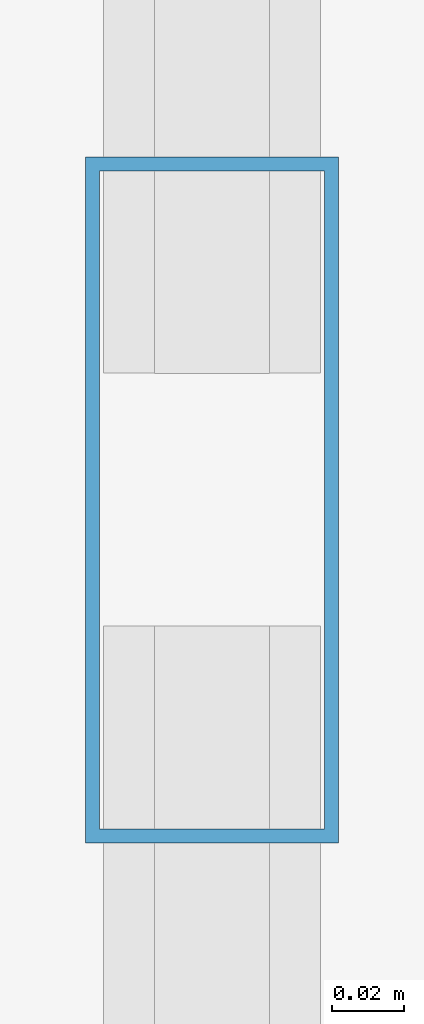
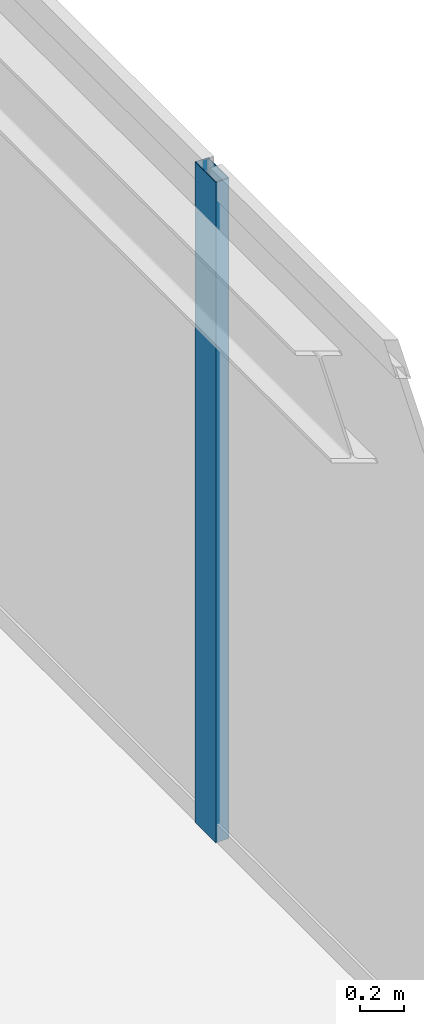
# One storey, part 18 of 29: 1 member, 1 element without a shape of its own.
"""IFC4 building model written with IfcOpenShell, lengths in metres."""

from ifc_helpers import new_model, si_unit, direction, frame, origin, origin_2d, place, context, subcontext, project, spatial, hollow_rectangle, extrude, source, transform, mapped, material, layer, layer_set, material_profile, profile_set, type_object, type_shapes, element, aggregate, save


model = new_model("IFC4")

# Units and contexts
model_context = context("Model", 3, precision=1e-05, world=origin(), true_north=direction((0.0, 1.0)))
body_context = subcontext(model_context, "Body", "Model", "MODEL_VIEW")
ifc_project = project(units=[si_unit("LENGTHUNIT", "METRE"), si_unit("AREAUNIT", "SQUARE_METRE"), si_unit("VOLUMEUNIT", "CUBIC_METRE"), si_unit("PLANEANGLEUNIT", "RADIAN"), si_unit("MASSUNIT", "GRAM", prefix="KILO")], contexts=[model_context])

# Site, building, storey
site_placement = place(None, origin())
site = spatial("IfcSite", under=ifc_project, at=site_placement, CompositionType="ELEMENT")
building_placement = place(site_placement, origin())
building = spatial("IfcBuilding", under=site, at=building_placement, Name="Varnel Quay Broadcast Tower", CompositionType="ELEMENT")
storey_placement = place(building_placement, frame((0.0, 0.0, 74.39990234375)))
storey = spatial("IfcBuildingStorey", under=building, at=storey_placement, Name="L17", CompositionType="ELEMENT", Elevation=74.39990234375)

# Curtain wall, member
ifc_material = material(Name="Anodised Bronze Aluminium 6063-T6", Category="aluminium")
ifc_layer = layer(ifc_material, 0.18994140625, Name="Anodised Bronze Aluminium 6063-T6")
ifc_layer_set = layer_set([ifc_layer], Name="Anodised Bronze Aluminium 6063-T6")
curtain_wall_type = type_object("IfcCurtainWallType", Name="CW_LowerTower", PredefinedType="NOTDEFINED", material=ifc_layer_set)
curtain_wall_placement = place(storey_placement, origin())
curtain_wall = element("IfcCurtainWall", 1, at=curtain_wall_placement, inside=storey, type_object=curtain_wall_type, Name="L17 East Unitised Curtain Wall", PredefinedType="NOTDEFINED")
ifc_material_profile = material_profile(ifc_material, hollow_rectangle(XDim=0.070068359375, YDim=0.18994140625, WallThickness=0.00390625, at=origin_2d()), Name="ALU70X190X4")
ifc_profile_set = profile_set([ifc_material_profile], Name="Anodised Bronze Aluminium 6063-T6")
member_type = type_object("IfcMemberType", Name="Mull_CWS-02", PredefinedType="MULLION", material=ifc_profile_set)
shared_shape = source(origin(), body_context, "Body", "SweptSolid", [
    extrude(hollow_rectangle(XDim=0.070068359375, YDim=0.18994140625, WallThickness=0.00390625, at=origin_2d()), origin(), (0.0, 0.0, 1.0), 3.650146484375),
])
type_shapes(member_type, [shared_shape])
member_placement = place(storey_placement, frame((65.85009765625, 30.39990234375, 0.0), z_axis=(0.0, 0.0, 1.0), x_axis=(-1.0, 0.0, 0.0)))
member = element("IfcMember", 2, at=member_placement, type_object=member_type, Name="CWS-02 mullion 3", PredefinedType="MULLION", context=body_context, shape_type="MappedRepresentation", body=[
    mapped(shared_shape, transform((0.0, 0.0, 0.0), x_axis=(1.0, 0.0, 0.0), y_axis=(0.0, 1.0, 0.0), z_axis=(0.0, 0.0, 1.0), scale=1.0)),
])
aggregate(curtain_wall, [member])

save(model, "model.ifc")
